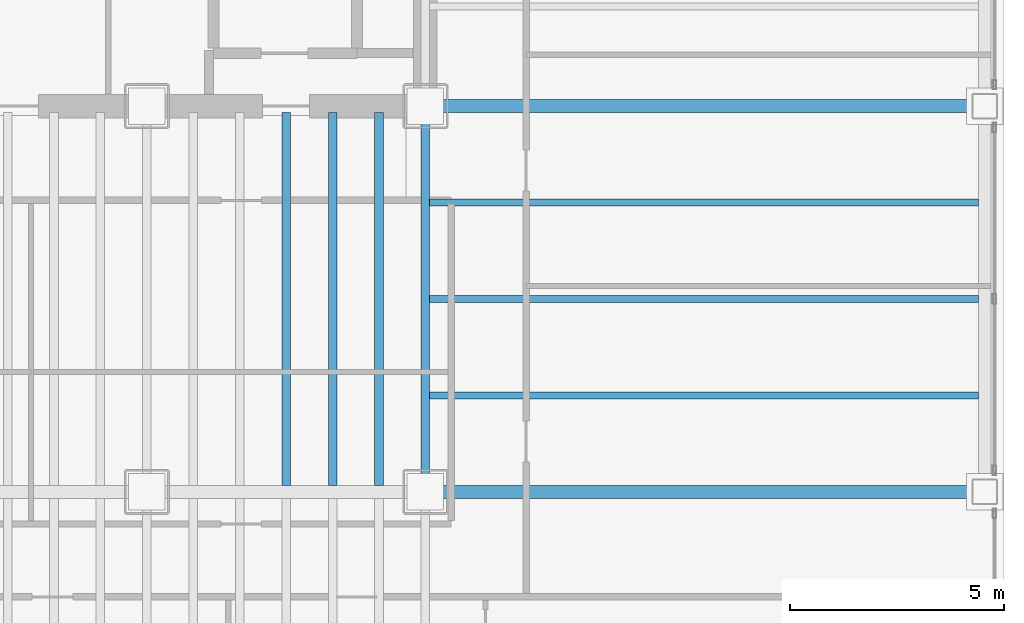
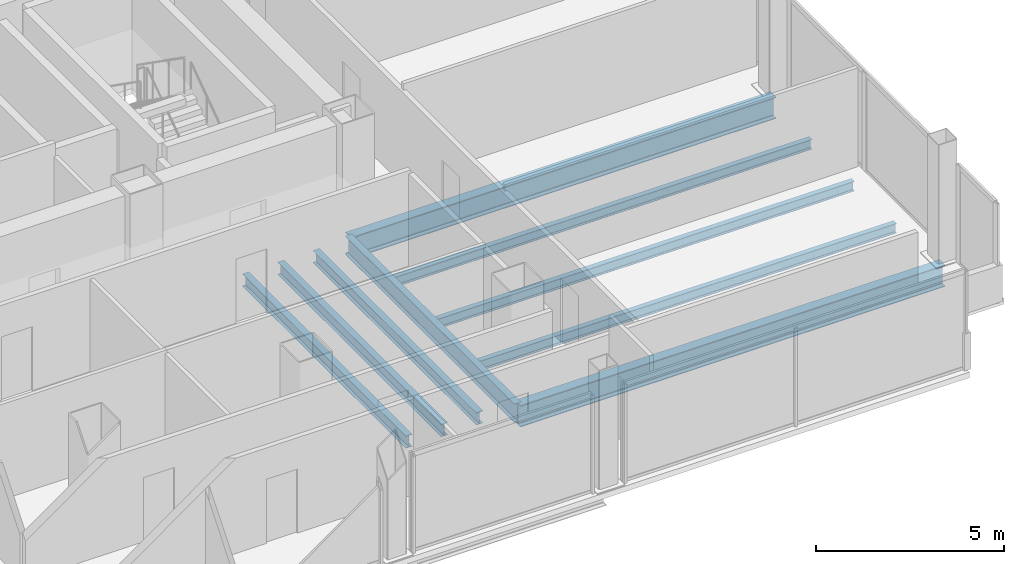
# One storey, part 9 of 20: 9 beams.
"""IFC4 building model written with IfcOpenShell, lengths in metres."""

from ifc_helpers import new_model, si_unit, direction, frame, origin, origin_2d, place, context, subcontext, project, spatial, i_section, extrude, material, material_profile, profile_set, type_object, element, save


model = new_model("IFC4")

# Units and contexts
model_context = context("Model", 3, precision=1e-05, world=origin(), true_north=direction((0.0, 1.0)))
body_context = subcontext(model_context, "Body", "Model", "MODEL_VIEW")
ifc_project = project(units=[si_unit("LENGTHUNIT", "METRE"), si_unit("AREAUNIT", "SQUARE_METRE"), si_unit("VOLUMEUNIT", "CUBIC_METRE"), si_unit("PLANEANGLEUNIT", "RADIAN"), si_unit("MASSUNIT", "GRAM", prefix="KILO")], contexts=[model_context])

# Site, building, storey
site_placement = place(None, origin())
site = spatial("IfcSite", under=ifc_project, at=site_placement, CompositionType="ELEMENT")
building_placement = place(site_placement, origin())
building = spatial("IfcBuilding", under=site, at=building_placement, Name="Noeulbin Bourse Tower", CompositionType="ELEMENT")
storey_placement = place(building_placement, frame((0.0, 0.0, 73.300048828125)))
storey = spatial("IfcBuildingStorey", under=building, at=storey_placement, Name="L18", CompositionType="ELEMENT", Elevation=73.300048828125)

# Beams
ifc_material = material(Name="Steel S355", Category="steel")
ifc_material_profile_1 = material_profile(ifc_material, i_section(OverallWidth=0.199951171875, OverallDepth=0.60009765625, WebThickness=0.010986328125, FlangeThickness=0.01708984375, FilletRadius=0.02197265625, at=origin_2d()), Name="H-600x200x11x17", Category="LoadBearing")
ifc_profile_set_1 = profile_set([ifc_material_profile_1], Name="Steel S355")
beam_type_1 = type_object("IfcBeamType", Name="BM-GRD-600", PredefinedType="USERDEFINED", material=ifc_profile_set_1)
beam_placement = place(storey_placement, frame((44.0, 20.0, -0.47998046875), z_axis=(0.0, 1.0, 0.0), x_axis=(-1.0, 0.0, 0.0)))
element("IfcBeam", 1, at=beam_placement, inside=storey, type_object=beam_type_1, Name="Tower Primary Girder NS L18-5.2", ObjectType="GIRDER", PredefinedType="USERDEFINED", context=body_context, shape_type="SweptSolid", body=[
    extrude(i_section(OverallWidth=0.199951171875, OverallDepth=0.60009765625, WebThickness=0.010986328125, FlangeThickness=0.01708984375, FilletRadius=0.02197265625, at=origin_2d()), origin(), (0.0, 0.0, 1.0), 9.0),
])
ifc_material_profile_2 = material_profile(ifc_material, i_section(OverallWidth=0.300048828125, OverallDepth=0.699951171875, WebThickness=0.012939453125, FlangeThickness=0.02392578125, FilletRadius=0.02392578125, at=origin_2d()), Name="H-700x300x13x24", Category="LoadBearing")
ifc_profile_set_2 = profile_set([ifc_material_profile_2], Name="Steel S355")
beam_type_2 = type_object("IfcBeamType", Name="BM-GRD-700", PredefinedType="USERDEFINED", material=ifc_profile_set_2)
for number, where, z_axis, x_axis, name in (
    (2, (44.0, 20.0, -0.530029296875), (1.0, 0.0, 0.0), (0.0, 1.0, 0.0), "Tower Primary Girder EW L18-1.6"),
    (3, (44.0, 29.0, -0.530029296875), (1.0, 0.0, 0.0), (0.0, 1.0, 0.0), "Tower Primary Girder EW L18-2.6"),
):
    element("IfcBeam", number, at=place(storey_placement, frame(where, z_axis=z_axis, x_axis=x_axis)), inside=storey, type_object=beam_type_2, Name=name, ObjectType="GIRDER", PredefinedType="USERDEFINED", context=body_context, shape_type="SweptSolid", body=[
        extrude(i_section(OverallWidth=0.300048828125, OverallDepth=0.699951171875, WebThickness=0.012939453125, FlangeThickness=0.02392578125, FilletRadius=0.02392578125, at=origin_2d()), origin(), (0.0, 0.0, 1.0), 13.050048828125),
    ])
ifc_material_profile_3 = material_profile(ifc_material, i_section(OverallWidth=0.159912109375, OverallDepth=0.320068359375, WebThickness=0.006591796875, FlangeThickness=0.010009765625, FilletRadius=0.012939453125, at=origin_2d()), Name="H-320x160x6.5x10", Category="LoadBearing")
ifc_profile_set_3 = profile_set([ifc_material_profile_3], Name="Steel S355")
beam_type_3 = type_object("IfcBeamType", Name="BM-JST-320", PredefinedType="JOIST", material=ifc_profile_set_3)
for number, where, z_axis, x_axis, name in (
    (4, (44.10009765625, 22.25, -0.340087890625), (1.0, 0.0, 0.0), (0.0, 1.0, 0.0), "Wing Composite Joist L18-E76"),
    (5, (44.10009765625, 24.5, -0.340087890625), (1.0, 0.0, 0.0), (0.0, 1.0, 0.0), "Wing Composite Joist L18-E77"),
    (6, (44.10009765625, 26.75, -0.340087890625), (1.0, 0.0, 0.0), (0.0, 1.0, 0.0), "Wing Composite Joist L18-E78"),
):
    element("IfcBeam", number, at=place(storey_placement, frame(where, z_axis=z_axis, x_axis=x_axis)), inside=storey, type_object=beam_type_3, Name=name, PredefinedType="JOIST", context=body_context, shape_type="SweptSolid", body=[
        extrude(i_section(OverallWidth=0.159912109375, OverallDepth=0.320068359375, WebThickness=0.006591796875, FlangeThickness=0.010009765625, FilletRadius=0.012939453125, at=origin_2d()), origin(), (0.0, 0.0, 1.0), 12.7998046875),
    ])
ifc_material_profile_4 = material_profile(ifc_material, i_section(OverallWidth=0.199951171875, OverallDepth=0.39990234375, WebThickness=0.008056640625, FlangeThickness=0.012939453125, FilletRadius=0.01611328125, at=origin_2d()), Name="H-400x200x8x13", Category="LoadBearing")
ifc_profile_set_4 = profile_set([ifc_material_profile_4], Name="Steel S355")
beam_type_4 = type_object("IfcBeamType", Name="BM-SEC-400", PredefinedType="BEAM", material=ifc_profile_set_4)
for number, where, z_axis, x_axis, name in (
    (7, (40.75, 20.14990234375, -0.380126953125), (0.0, 1.0, 0.0), (-1.0, 0.0, 0.0), "Tower Composite Joist L18-62"),
    (8, (41.833251953125, 20.14990234375, -0.380126953125), (0.0, 1.0, 0.0), (-1.0, 0.0, 0.0), "Tower Composite Joist L18-65"),
    (9, (42.916748046875, 20.14990234375, -0.380126953125), (0.0, 1.0, 0.0), (-1.0, 0.0, 0.0), "Tower Composite Joist L18-68"),
):
    element("IfcBeam", number, at=place(storey_placement, frame(where, z_axis=z_axis, x_axis=x_axis)), inside=storey, type_object=beam_type_4, Name=name, PredefinedType="BEAM", context=body_context, shape_type="SweptSolid", body=[
        extrude(i_section(OverallWidth=0.199951171875, OverallDepth=0.39990234375, WebThickness=0.008056640625, FlangeThickness=0.012939453125, FilletRadius=0.01611328125, at=origin_2d()), origin(), (0.0, 0.0, 1.0), 8.7001953125),
    ])

save(model, "model.ifc")
